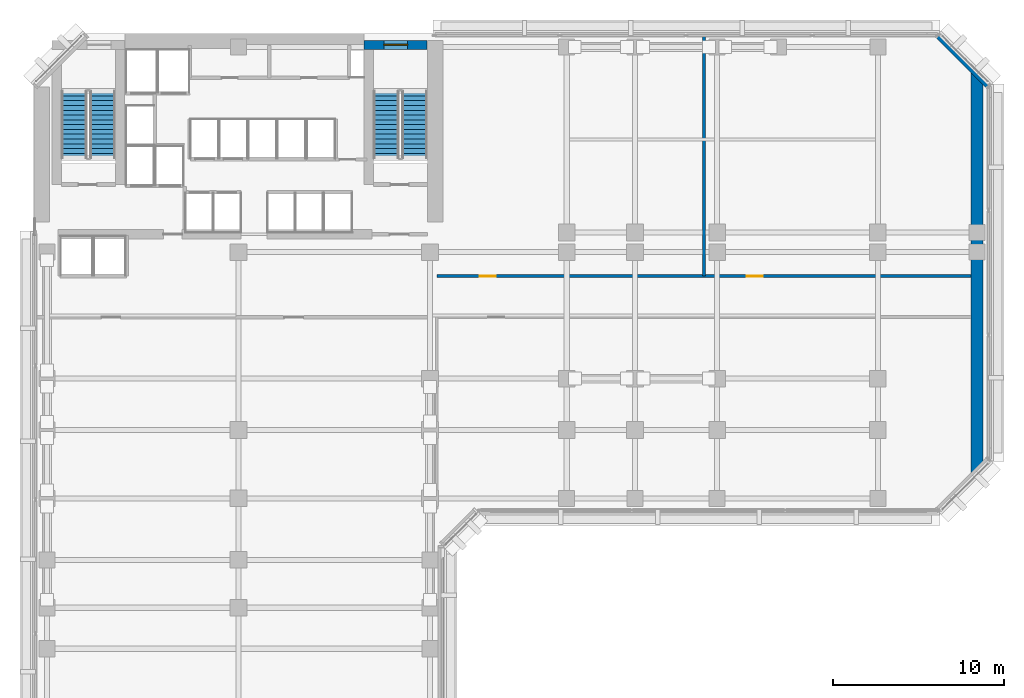
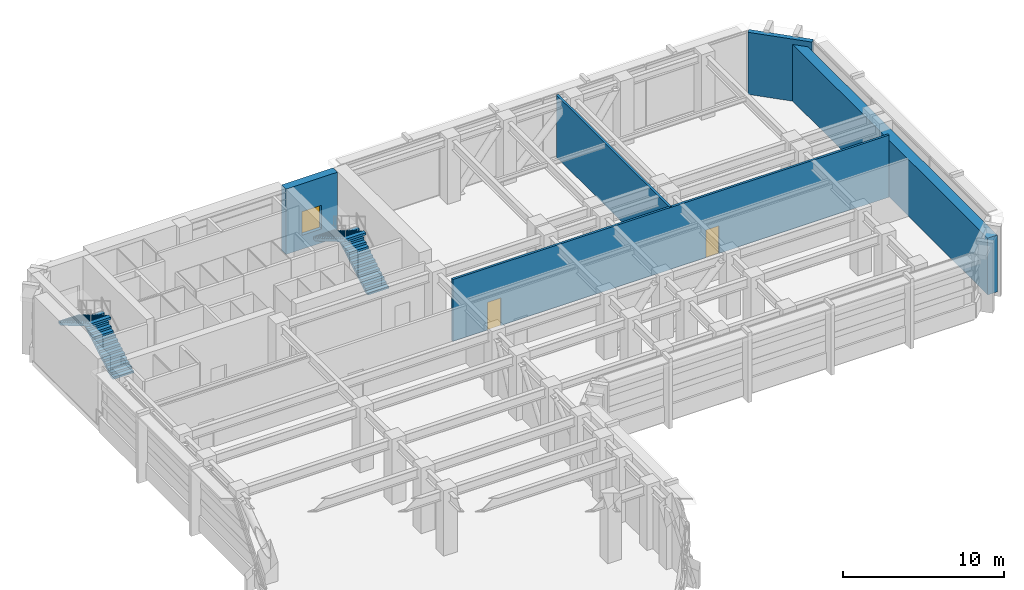
# One storey, part 8 of 13: 5 walls, 4 stair flights, 2 doors, 1 window, 3 openings, 2 elements without a shape of their own.
"""IFC4 building model written with IfcOpenShell, lengths in metres."""

from ifc_helpers import new_model, si_unit, direction, frame, frame_2d, origin, place, context, subcontext, project, spatial, polyline, rectangle, outline, extrude, material, layer, layer_set, type_object, element, fill, aggregate, save


model = new_model("IFC4")

# Units and contexts
model_context = context("Model", 3, precision=1e-05, world=origin(), true_north=direction((0.0, 1.0)))
body_context = subcontext(model_context, "Body", "Model", "MODEL_VIEW")
ifc_project = project(units=[si_unit("LENGTHUNIT", "METRE"), si_unit("AREAUNIT", "SQUARE_METRE"), si_unit("VOLUMEUNIT", "CUBIC_METRE"), si_unit("PLANEANGLEUNIT", "RADIAN"), si_unit("MASSUNIT", "GRAM", prefix="KILO")], contexts=[model_context])

# Site, building, storey
site_placement = place(None, origin())
site = spatial("IfcSite", under=ifc_project, at=site_placement, CompositionType="ELEMENT")
building_placement = place(site_placement, origin())
building = spatial("IfcBuilding", under=site, at=building_placement, Name="Kefirva Bronze Tower", CompositionType="ELEMENT")
storey_placement = place(building_placement, frame((0.0, 0.0, 93.719970703125)))
storey = spatial("IfcBuildingStorey", under=building, at=storey_placement, Name="L22", CompositionType="ELEMENT", Elevation=93.719970703125)

# Wall
ifc_material_1 = material(Name="Precast concrete C40/50", Category="concrete")
ifc_layer_1 = layer(ifc_material_1, 0.320068359375, Name="Precast concrete C40/50")
ifc_layer_set_1 = layer_set([ifc_layer_1], Name="Precast concrete C40/50")
wall_type_1 = type_object("IfcWallType", Name="Precast Insulated Exterior Wall 320mm", PredefinedType="SOLIDWALL", material=ifc_layer_set_1)
wall_1_placement = place(storey_placement, frame((55.847900390625, 42.92578125, 0.0), z_axis=(0.0, 0.0, 1.0), x_axis=(-0.707106781187, 0.707106781187, 0.0)))
element("IfcWall", 1, at=wall_1_placement, inside=storey, type_object=wall_type_1, Name="L22 Exterior Facade Wall 5", PredefinedType="SOLIDWALL", context=body_context, shape_type="SweptSolid", body=[
    extrude(rectangle(XDim=4.132568359375, YDim=0.320068359375, at=frame_2d((2.06640625, 0.0))), origin(), (0.0, 0.0, 1.0), 4.699951171875),
])

# Wall, openings, doors
ifc_material_2 = material(Name="Gypsum acoustic partition")
ifc_layer_2 = layer(ifc_material_2, 0.159912109375, Name="Gypsum acoustic partition")
ifc_layer_set_2 = layer_set([ifc_layer_2], Name="Gypsum acoustic partition")
wall_type_2 = type_object("IfcWallType", Name="Protected Corridor Partition 160mm", PredefinedType="PARTITIONING", material=ifc_layer_set_2)
wall_2_placement = place(storey_placement, frame((23.60009765625, 31.800048828125, 0.0), z_axis=(0.0, 0.0, 1.0), x_axis=(1.0, 0.0, 0.0)))
wall_2 = element("IfcWall", 2, at=wall_2_placement, inside=storey, type_object=wall_type_2, Name="L22 Partition W-L22-PLTE", PredefinedType="PARTITIONING", context=body_context, shape_type="SweptSolid", body=[
    extrude(rectangle(XDim=31.25, YDim=0.159912109375, at=frame_2d((15.625, 0.0))), origin(), (0.0, 0.0, 1.0), 4.699951171875),
])
opening_1_placement = place(wall_2_placement, frame((2.5, 0.0, 0.0)))
opening_1 = element("IfcOpeningElement", 3, at=opening_1_placement, cuts=wall_2, Name="Opening L22-D-AHU", PredefinedType="OPENING", context=body_context, shape_type="SweptSolid", body=[
    extrude(rectangle(XDim=0.949951171875, YDim=2.10009765625, at=frame_2d((0.47509765625, 1.050048828125))), frame((0.0, 0.08984375, 0.0), z_axis=(0.0, -1.0, 0.0), x_axis=(1.0, 0.0, 0.0)), (0.0, 0.0, 1.0), 0.179931640625),
])
opening_2_placement = place(wall_2_placement, frame((18.125, 0.0, 0.0)))
opening_2 = element("IfcOpeningElement", 4, at=opening_2_placement, cuts=wall_2, Name="Opening L22-D-ELP", PredefinedType="OPENING", context=body_context, shape_type="SweptSolid", body=[
    extrude(rectangle(XDim=0.949951171875, YDim=2.10009765625, at=frame_2d((0.47509765625, 1.050048828125))), frame((0.0, 0.08984375, 0.0), z_axis=(0.0, -1.0, 0.0), x_axis=(1.0, 0.0, 0.0)), (0.0, 0.0, 1.0), 0.179931640625),
])
ifc_material_3 = material(Name="Painted galvanized steel", Category="steel")
door_type = type_object("IfcDoorType", Name="Riser & Plant Shaft Fire Door 950x2100 FD60S", OperationType="NOTDEFINED", PredefinedType="DOOR", material=ifc_material_3)
door_1_placement = place(opening_1_placement, origin())
door_1 = element("IfcDoor", 5, at=door_1_placement, inside=storey, type_object=door_type, Name="Door L22-D-AHU", OperationType="SINGLE_SWING_LEFT", OverallHeight=2.10009765625, OverallWidth=0.949951171875, PredefinedType="DOOR", context=body_context, shape_type="SweptSolid", body=[
    extrude(rectangle(XDim=0.949951171875, YDim=2.10009765625, at=frame_2d((0.47509765625, 1.050048828125))), frame((0.0, 0.02490234375, 0.0), z_axis=(0.0, -1.0, 0.0), x_axis=(1.0, 0.0, 0.0)), (0.0, 0.0, 1.0), 0.050048828125),
])
fill(opening_1, door_1)
door_2_placement = place(opening_2_placement, origin())
door_2 = element("IfcDoor", 6, at=door_2_placement, inside=storey, type_object=door_type, Name="Door L22-D-ELP", OperationType="SINGLE_SWING_RIGHT", OverallHeight=2.10009765625, OverallWidth=0.949951171875, PredefinedType="DOOR", context=body_context, shape_type="SweptSolid", body=[
    extrude(rectangle(XDim=0.949951171875, YDim=2.10009765625, at=frame_2d((0.47509765625, 1.050048828125))), frame((0.0, 0.02490234375, 0.0), z_axis=(0.0, -1.0, 0.0), x_axis=(1.0, 0.0, 0.0)), (0.0, 0.0, 1.0), 0.050048828125),
])
fill(opening_2, door_2)

# Wall
wall_3_placement = place(storey_placement, frame((39.22509765625, 31.800048828125, 0.0), z_axis=(0.0, 0.0, 1.0), x_axis=(0.0, 1.0, 0.0)))
element("IfcWall", 7, at=wall_3_placement, inside=storey, type_object=wall_type_2, Name="L22 Partition W-L22-PLTDV", PredefinedType="PARTITIONING", context=body_context, shape_type="SweptSolid", body=[
    extrude(rectangle(XDim=14.010009765625, YDim=0.159912109375, at=frame_2d((7.0048828125, 0.0))), origin(), (0.0, 0.0, 1.0), 4.699951171875),
])

# Wall, opening, window
ifc_material_4 = material(Name="Concrete C50/60", Category="concrete")
ifc_layer_3 = layer(ifc_material_4, 0.550048828125, Name="Concrete C50/60")
ifc_layer_set_3 = layer_set([ifc_layer_3], Name="Concrete C50/60")
wall_type_3 = type_object("IfcWallType", Name="RC Rear Core Exterior Wall 550mm", PredefinedType="SHEAR", material=ifc_layer_set_3)
wall_4_placement = place(storey_placement, frame((19.35009765625, 45.320068359375, 0.0), z_axis=(0.0, 0.0, 1.0), x_axis=(1.0, 0.0, 0.0)))
wall_4 = element("IfcWall", 8, at=wall_4_placement, inside=storey, type_object=wall_type_3, Name="L22 Stair 2 North Shear Wall", PredefinedType="SHEAR", context=body_context, shape_type="SweptSolid", body=[
    extrude(rectangle(XDim=3.68994140625, YDim=0.550048828125, at=frame_2d((1.844970703125, 0.0))), origin(), (0.0, 0.0, 1.0), 4.949951171875),
])
opening_3_placement = place(wall_4_placement, frame((1.14990234375, 0.0, 1.050048828125)))
opening_3 = element("IfcOpeningElement", 9, at=opening_3_placement, cuts=wall_4, Name="Opening WN-03", PredefinedType="OPENING", context=body_context, shape_type="SweptSolid", body=[
    extrude(rectangle(XDim=1.39990234375, YDim=1.800048828125, at=frame_2d((0.699951171875, 0.89990234375))), frame((0.0, 0.28515625, 0.0), z_axis=(0.0, -1.0, 0.0), x_axis=(1.0, 0.0, 0.0)), (0.0, 0.0, 1.0), 0.570068359375),
])
ifc_material_5 = material(Name="Laminated low-E double glazing", Category="glass")
window_type = type_object("IfcWindowType", Name="Rear-Core Stair Daylight Window 1400x1800", PartitioningType="SINGLE_PANEL", PredefinedType="WINDOW", material=ifc_material_5)
window_placement = place(opening_3_placement, origin())
window = element("IfcWindow", 10, at=window_placement, inside=storey, type_object=window_type, Name="L22 Stair 2 Daylight Window", OverallHeight=1.800048828125, OverallWidth=1.39990234375, PartitioningType="SINGLE_PANEL", PredefinedType="WINDOW", context=body_context, shape_type="SweptSolid", body=[
    extrude(rectangle(XDim=1.39990234375, YDim=1.800048828125, at=frame_2d((0.699951171875, 0.89990234375))), frame((0.0, 0.030029296875, 0.0), z_axis=(0.0, -1.0, 0.0), x_axis=(1.0, 0.0, 0.0)), (0.0, 0.0, 1.0), 0.06005859375),
])
fill(opening_3, window)

# Wall
ifc_material_6 = material(Name="Concrete C60/75", Category="concrete")
ifc_layer_4 = layer(ifc_material_6, 0.699951171875, Name="Concrete C60/75")
ifc_layer_set_4 = layer_set([ifc_layer_4], Name="Concrete C60/75")
wall_type_4 = type_object("IfcWallType", Name="RC Refuge Perimeter Belt Wall 700mm", PredefinedType="SHEAR", material=ifc_layer_set_4)
wall_5_placement = place(storey_placement, frame((55.199951171875, 19.5, 0.0), z_axis=(0.0, 0.0, 1.0), x_axis=(0.0, 1.0, 0.0)))
element("IfcWall", 11, at=wall_5_placement, inside=storey, type_object=wall_type_4, Name="L22 East Perimeter Belt Shear Wall", PredefinedType="SHEAR", context=body_context, shape_type="SweptSolid", body=[
    extrude(rectangle(XDim=24.89990234375, YDim=0.699951171875, at=frame_2d((12.449951171875, 0.0))), origin(), (0.0, 0.0, 1.0), 4.300048828125),
])

# Stair, stair flights
ifc_material_7 = material(Name="Concrete C40/50", Category="concrete")
stair_type = type_object("IfcStairType", Name="RC Dogleg Protected Stair 24R", PredefinedType="HALF_TURN_STAIR", material=ifc_material_7)
stair_1_placement = place(storey_placement, origin())
stair_1 = element("IfcStair", 12, at=stair_1_placement, inside=storey, type_object=stair_type, Name="L22 Protected Exit Stair 1", PredefinedType="HALF_TURN_STAIR")
stair_flight_type = type_object("IfcStairFlightType", Name="RC Straight Stair Flight 24R", PredefinedType="STRAIGHT", material=ifc_material_7)
stair_flight_1_placement = place(storey_placement, frame((4.050048828125, 38.699951171875, 0.0), z_axis=(0.0, 0.0, 1.0), x_axis=(0.0, 1.0, 0.0)))
stair_flight_1 = element("IfcStairFlight", 13, at=stair_flight_1_placement, type_object=stair_flight_type, Name="ST-1 flight 1", NumberOfRisers=15, NumberOfTreads=14, PredefinedType="STRAIGHT", RiserHeight=0.165, TreadLength=0.28, context=body_context, shape_type="SweptSolid", body=[
    extrude(outline(polyline([(0.0, 0.0), (0.0, 0.1650390625), (0.280029296875, 0.1650390625), (0.280029296875, 0.330078125), (0.56005859375, 0.330078125), (0.56005859375, 0.4951171875), (0.840087890625, 0.4951171875), (0.840087890625, 0.659912109375), (1.1201171875, 0.659912109375), (1.1201171875, 0.824951171875), (1.39990234375, 0.824951171875), (1.39990234375, 0.989990234375), (1.679931640625, 0.989990234375), (1.679931640625, 1.155029296875), (1.9599609375, 1.155029296875), (1.9599609375, 1.320068359375), (2.239990234375, 1.320068359375), (2.239990234375, 1.485107421875), (2.52001953125, 1.485107421875), (2.52001953125, 1.64990234375), (2.800048828125, 1.64990234375), (2.800048828125, 1.81494140625), (3.080078125, 1.81494140625), (3.080078125, 1.97998046875), (3.360107421875, 1.97998046875), (3.360107421875, 2.14501953125), (3.639892578125, 2.14501953125), (3.639892578125, 2.31005859375), (3.919921875, 2.31005859375), (3.919921875, 2.47509765625), (3.919921875, 2.135986328125), (0.295166015625, 0.0), (0.0, 0.0)])), frame((0.0, 0.75, 0.0), z_axis=(0.0, -1.0, 0.0), x_axis=(1.0, 0.0, 0.0)), (0.0, 0.0, 1.0), 1.5),
])
stair_flight_2_placement = place(storey_placement, frame((2.39990234375, 42.6201171875, 2.47509765625), z_axis=(0.0, 0.0, 1.0), x_axis=(0.0, -1.0, 0.0)))
stair_flight_2 = element("IfcStairFlight", 14, at=stair_flight_2_placement, type_object=stair_flight_type, Name="ST-1 flight 2", NumberOfRisers=15, NumberOfTreads=14, PredefinedType="STRAIGHT", RiserHeight=0.165, TreadLength=0.28, context=body_context, shape_type="SweptSolid", body=[
    extrude(outline(polyline([(0.0, 0.0), (0.0, 0.1650390625), (0.280029296875, 0.1650390625), (0.280029296875, 0.330078125), (0.56005859375, 0.330078125), (0.56005859375, 0.4951171875), (0.840087890625, 0.4951171875), (0.840087890625, 0.659912109375), (1.1201171875, 0.659912109375), (1.1201171875, 0.824951171875), (1.39990234375, 0.824951171875), (1.39990234375, 0.989990234375), (1.679931640625, 0.989990234375), (1.679931640625, 1.155029296875), (1.9599609375, 1.155029296875), (1.9599609375, 1.320068359375), (2.239990234375, 1.320068359375), (2.239990234375, 1.485107421875), (2.52001953125, 1.485107421875), (2.52001953125, 1.64990234375), (2.800048828125, 1.64990234375), (2.800048828125, 1.81494140625), (3.080078125, 1.81494140625), (3.080078125, 1.97998046875), (3.360107421875, 1.97998046875), (3.360107421875, 2.14501953125), (3.639892578125, 2.14501953125), (3.639892578125, 2.31005859375), (3.919921875, 2.31005859375), (3.919921875, 2.47509765625), (3.919921875, 2.135986328125), (0.295166015625, 0.0), (0.0, 0.0)])), frame((0.0, 0.75, 0.0), z_axis=(0.0, -1.0, 0.0), x_axis=(1.0, 0.0, 0.0)), (0.0, 0.0, 1.0), 1.5),
])
aggregate(stair_1, [stair_flight_1, stair_flight_2])

stair_2_placement = place(storey_placement, origin())
stair_2 = element("IfcStair", 15, at=stair_2_placement, inside=storey, type_object=stair_type, Name="L22 Protected Exit Stair 2", PredefinedType="HALF_TURN_STAIR")
stair_flight_3_placement = place(storey_placement, frame((22.300048828125, 38.699951171875, 0.0), z_axis=(0.0, 0.0, 1.0), x_axis=(0.0, 1.0, 0.0)))
stair_flight_3 = element("IfcStairFlight", 16, at=stair_flight_3_placement, type_object=stair_flight_type, Name="ST-2 flight 1", NumberOfRisers=15, NumberOfTreads=14, PredefinedType="STRAIGHT", RiserHeight=0.165, TreadLength=0.28, context=body_context, shape_type="SweptSolid", body=[
    extrude(outline(polyline([(0.0, 0.0), (0.0, 0.1650390625), (0.280029296875, 0.1650390625), (0.280029296875, 0.330078125), (0.56005859375, 0.330078125), (0.56005859375, 0.4951171875), (0.840087890625, 0.4951171875), (0.840087890625, 0.659912109375), (1.1201171875, 0.659912109375), (1.1201171875, 0.824951171875), (1.39990234375, 0.824951171875), (1.39990234375, 0.989990234375), (1.679931640625, 0.989990234375), (1.679931640625, 1.155029296875), (1.9599609375, 1.155029296875), (1.9599609375, 1.320068359375), (2.239990234375, 1.320068359375), (2.239990234375, 1.485107421875), (2.52001953125, 1.485107421875), (2.52001953125, 1.64990234375), (2.800048828125, 1.64990234375), (2.800048828125, 1.81494140625), (3.080078125, 1.81494140625), (3.080078125, 1.97998046875), (3.360107421875, 1.97998046875), (3.360107421875, 2.14501953125), (3.639892578125, 2.14501953125), (3.639892578125, 2.31005859375), (3.919921875, 2.31005859375), (3.919921875, 2.47509765625), (3.919921875, 2.135986328125), (0.295166015625, 0.0), (0.0, 0.0)])), frame((0.0, 0.75, 0.0), z_axis=(0.0, -1.0, 0.0), x_axis=(1.0, 0.0, 0.0)), (0.0, 0.0, 1.0), 1.5),
])
stair_flight_4_placement = place(storey_placement, frame((20.64990234375, 42.6201171875, 2.47509765625), z_axis=(0.0, 0.0, 1.0), x_axis=(0.0, -1.0, 0.0)))
stair_flight_4 = element("IfcStairFlight", 17, at=stair_flight_4_placement, type_object=stair_flight_type, Name="ST-2 flight 2", NumberOfRisers=15, NumberOfTreads=14, PredefinedType="STRAIGHT", RiserHeight=0.165, TreadLength=0.28, context=body_context, shape_type="SweptSolid", body=[
    extrude(outline(polyline([(0.0, 0.0), (0.0, 0.1650390625), (0.280029296875, 0.1650390625), (0.280029296875, 0.330078125), (0.56005859375, 0.330078125), (0.56005859375, 0.4951171875), (0.840087890625, 0.4951171875), (0.840087890625, 0.659912109375), (1.1201171875, 0.659912109375), (1.1201171875, 0.824951171875), (1.39990234375, 0.824951171875), (1.39990234375, 0.989990234375), (1.679931640625, 0.989990234375), (1.679931640625, 1.155029296875), (1.9599609375, 1.155029296875), (1.9599609375, 1.320068359375), (2.239990234375, 1.320068359375), (2.239990234375, 1.485107421875), (2.52001953125, 1.485107421875), (2.52001953125, 1.64990234375), (2.800048828125, 1.64990234375), (2.800048828125, 1.81494140625), (3.080078125, 1.81494140625), (3.080078125, 1.97998046875), (3.360107421875, 1.97998046875), (3.360107421875, 2.14501953125), (3.639892578125, 2.14501953125), (3.639892578125, 2.31005859375), (3.919921875, 2.31005859375), (3.919921875, 2.47509765625), (3.919921875, 2.135986328125), (0.295166015625, 0.0), (0.0, 0.0)])), frame((0.0, 0.75, 0.0), z_axis=(0.0, -1.0, 0.0), x_axis=(1.0, 0.0, 0.0)), (0.0, 0.0, 1.0), 1.5),
])
aggregate(stair_2, [stair_flight_3, stair_flight_4])

save(model, "model.ifc")
